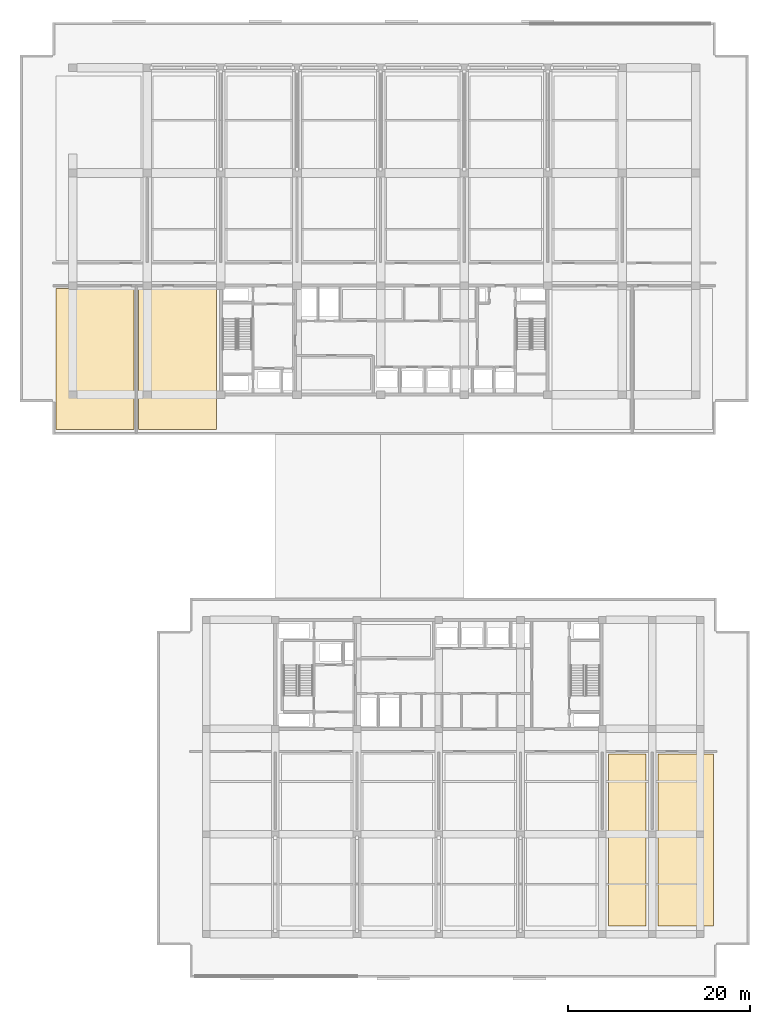
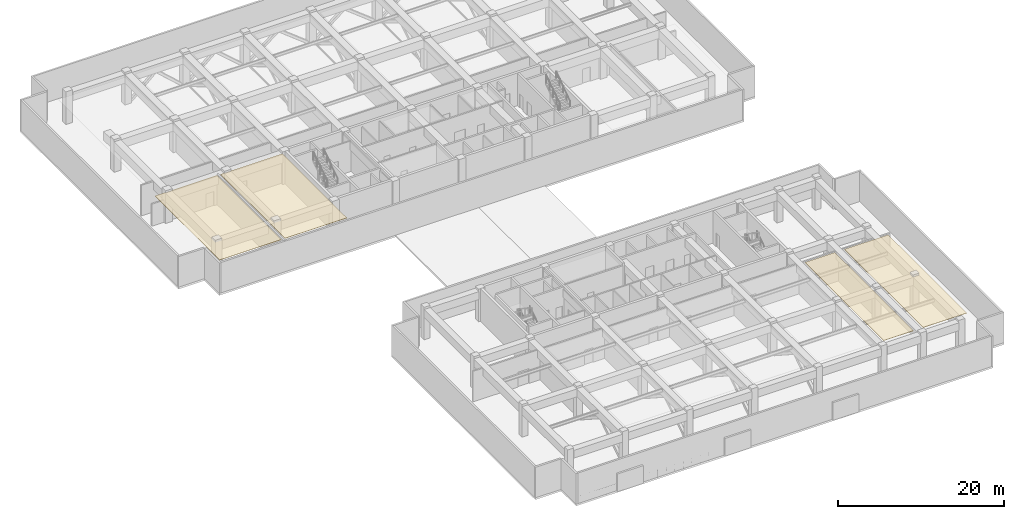
# One storey, part 18 of 22: 4 coverings.
"""IFC4 building model written with IfcOpenShell, lengths in metres."""

from ifc_helpers import new_model, si_unit, direction, frame, origin, place, context, subcontext, project, spatial, polyline, outline, extrude, material, layer, layer_set, type_object, element, save


model = new_model("IFC4")

# Units and contexts
model_context = context("Model", 3, precision=1e-05, world=origin(), true_north=direction((0.0, 1.0)))
body_context = subcontext(model_context, "Body", "Model", "MODEL_VIEW")
ifc_project = project(units=[si_unit("LENGTHUNIT", "METRE"), si_unit("AREAUNIT", "SQUARE_METRE"), si_unit("VOLUMEUNIT", "CUBIC_METRE"), si_unit("PLANEANGLEUNIT", "RADIAN"), si_unit("MASSUNIT", "GRAM", prefix="KILO")], contexts=[model_context])

# Site, building, storey
site_placement = place(None, origin())
site = spatial("IfcSite", under=ifc_project, at=site_placement, CompositionType="ELEMENT")
building_placement = place(site_placement, origin())
building = spatial("IfcBuilding", under=site, at=building_placement, Name="Korimba Cascade Residences", CompositionType="ELEMENT")
storey_placement = place(building_placement, frame((0.0, 0.0, 157.300048828125)))
storey = spatial("IfcBuildingStorey", under=building, at=storey_placement, Name="L45", CompositionType="ELEMENT", Elevation=157.300048828125)

# Coverings
ifc_material = material(Name="Mineral Wool Thermal Acoustic Insulation", Category="insulation")
ifc_layer = layer(ifc_material, 0.06005859375)
ifc_layer_set = layer_set([ifc_layer], Name="Mineral Wool Thermal Acoustic Insulation")
covering_type = type_object("IfcCoveringType", Name="COV-INS-60", PredefinedType="INSULATION", material=ifc_layer_set)
covering_1_placement = place(storey_placement, frame((0.0, 0.0, 4.419921875)))
element("IfcCovering", 1, at=covering_1_placement, inside=storey, type_object=covering_type, Name="L45 Mineral Wool Acoustic Soffit Insulation L45-RWW1", PredefinedType="INSULATION", context=body_context, shape_type="SweptSolid", body=[
    extrude(outline(polyline([(57.949951171875, 51.35009765625), (66.550048828125, 51.35009765625), (66.550048828125, 66.89990234375), (57.949951171875, 66.89990234375), (57.949951171875, 51.35009765625)])), origin(), (0.0, 0.0, 1.0), 0.06005859375),
])
covering_2_placement = place(storey_placement, frame((0.0, 0.0, 4.419921875)))
element("IfcCovering", 2, at=covering_2_placement, inside=storey, type_object=covering_type, Name="L45 Mineral Wool Acoustic Soffit Insulation L45-RWW2", PredefinedType="INSULATION", context=body_context, shape_type="SweptSolid", body=[
    extrude(outline(polyline([(67.050048828125, 51.35009765625), (75.64990234375, 51.35009765625), (75.64990234375, 66.89990234375), (67.050048828125, 66.89990234375), (67.050048828125, 51.35009765625)])), origin(), (0.0, 0.0, 1.0), 0.06005859375),
])
covering_3_placement = place(storey_placement, frame((0.0, 0.0, 4.419921875)))
element("IfcCovering", 3, at=covering_3_placement, inside=storey, type_object=covering_type, Name="L45 Mineral Wool Acoustic Soffit Insulation L45-PL26", PredefinedType="INSULATION", context=body_context, shape_type="SweptSolid", body=[
    extrude(outline(polyline([(118.77001953125, -3.300048828125), (122.929931640625, -3.300048828125), (122.929931640625, 15.64990234375), (118.77001953125, 15.64990234375), (118.77001953125, -3.300048828125)])), origin(), (0.0, 0.0, 1.0), 0.06005859375),
])
covering_4_placement = place(storey_placement, frame((0.0, 0.0, 4.419921875)))
element("IfcCovering", 4, at=covering_4_placement, inside=storey, type_object=covering_type, Name="L45 Mineral Wool Acoustic Soffit Insulation L45-PL27", PredefinedType="INSULATION", context=body_context, shape_type="SweptSolid", body=[
    extrude(outline(polyline([(124.27001953125, -3.300048828125), (130.35009765625, -3.300048828125), (130.35009765625, 15.64990234375), (124.27001953125, 15.64990234375), (124.27001953125, -3.300048828125)])), origin(), (0.0, 0.0, 1.0), 0.06005859375),
])

save(model, "model.ifc")
